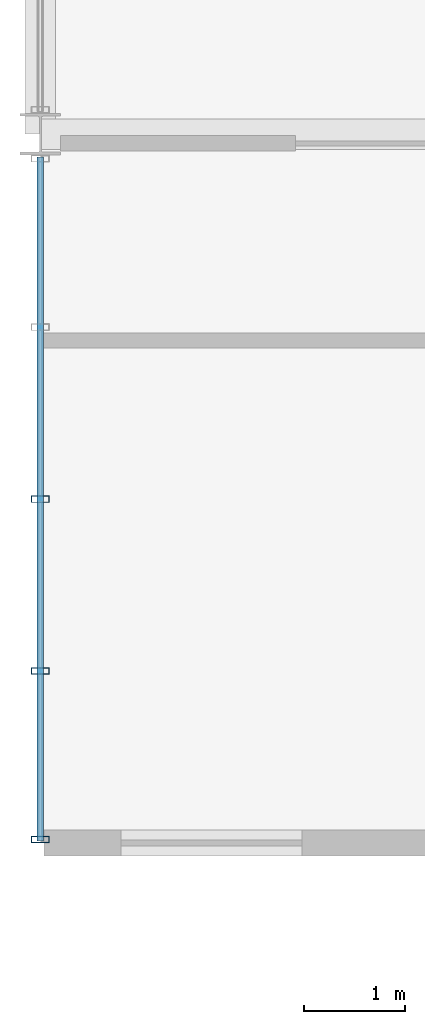
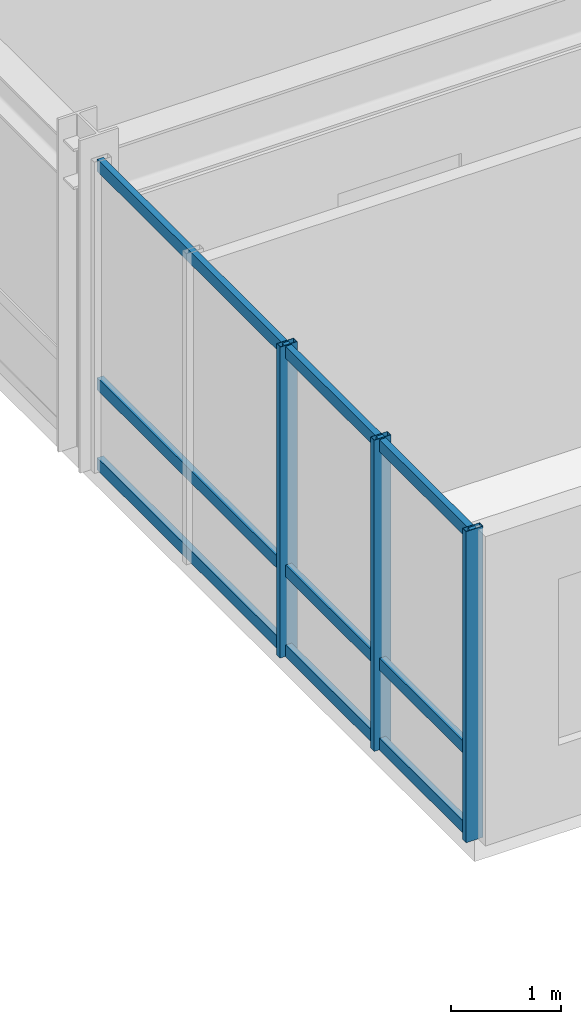
# One storey, part 3 of 19: 6 members, 1 element without a shape of its own.
"""IFC4 building model written with IfcOpenShell, lengths in metres."""

from ifc_helpers import new_model, si_unit, direction, frame, origin, origin_2d, place, context, subcontext, project, spatial, hollow_rectangle, extrude, source, transform, mapped, material, layer, layer_set, material_profile, profile_set, type_object, element, aggregate, save


model = new_model("IFC4")

# Units and contexts
model_context = context("Model", 3, precision=1e-05, world=origin(), true_north=direction((0.0, 1.0)))
body_context = subcontext(model_context, "Body", "Model", "MODEL_VIEW")
ifc_project = project(units=[si_unit("LENGTHUNIT", "METRE"), si_unit("AREAUNIT", "SQUARE_METRE"), si_unit("VOLUMEUNIT", "CUBIC_METRE"), si_unit("PLANEANGLEUNIT", "RADIAN"), si_unit("MASSUNIT", "GRAM", prefix="KILO")], contexts=[model_context])

# Site, building, storey
site_placement = place(None, origin())
site = spatial("IfcSite", under=ifc_project, at=site_placement, CompositionType="ELEMENT")
building_placement = place(site_placement, origin())
building = spatial("IfcBuilding", under=site, at=building_placement, Name="Kaliganga Portal Commons", CompositionType="ELEMENT")
storey_placement = place(building_placement, frame((0.0, 0.0, 140.199951171875)))
storey = spatial("IfcBuildingStorey", under=building, at=storey_placement, Name="L35", CompositionType="ELEMENT", Elevation=140.199951171875)

# Curtain wall, members
ifc_material_1 = material(Name="Anodized Aluminium and Laminated Low-E Glass", Category="aluminium")
ifc_layer = layer(ifc_material_1, 0.199951171875)
ifc_layer_set = layer_set([ifc_layer], Name="Anodized Aluminium and Laminated Low-E Glass")
curtain_wall_type = type_object("IfcCurtainWallType", Name="CW-SYS-02", PredefinedType="NOTDEFINED", material=ifc_layer_set)
curtain_wall_placement = place(storey_placement, origin())
curtain_wall = element("IfcCurtainWall", 1, at=curtain_wall_placement, inside=storey, type_object=curtain_wall_type, Name="CW 02 L35 P1E03S3", PredefinedType="NOTDEFINED")
ifc_material_2 = material(Name="Dark Bronze Anodized Aluminium", Category="aluminium")
ifc_material_profile_1 = material_profile(ifc_material_2, hollow_rectangle(XDim=0.06494140625, YDim=0.179931640625, WallThickness=0.00390625, at=origin_2d()), Name="ALU MULL 65x180x4")
ifc_profile_set_1 = profile_set([ifc_material_profile_1], Name="Dark Bronze Anodized Aluminium")
member_type_1 = type_object("IfcMemberType", Name="CW-MUL-180", PredefinedType="MULLION", material=ifc_profile_set_1)
shared_shape_1 = source(origin(), body_context, "Body", "SweptSolid", [
    extrude(hollow_rectangle(XDim=0.06494140625, YDim=0.179931640625, WallThickness=0.00390625, at=origin_2d()), origin(), (0.0, 0.0, 1.0), 3.4599609375),
])
member_1_placement = place(storey_placement, frame((0.5, 25.02099609375, 0.0), z_axis=(0.0, 0.0, 1.0), x_axis=(0.0, -1.0, 0.0)))
member_1 = element("IfcMember", 2, at=member_1_placement, type_object=member_type_1, Name="CW:02:L35:P1E03S3 Mullion 02", PredefinedType="MULLION", context=body_context, shape_type="MappedRepresentation", body=[
    mapped(shared_shape_1, transform((0.0, 0.0, 0.0), x_axis=(1.0, 0.0, 0.0), y_axis=(0.0, 1.0, 0.0), z_axis=(0.0, 0.0, 1.0), scale=1.0)),
])
member_2_placement = place(storey_placement, frame((0.5, 23.310546875, 0.0), z_axis=(0.0, 0.0, 1.0), x_axis=(0.0, -1.0, 0.0)))
member_2 = element("IfcMember", 3, at=member_2_placement, type_object=member_type_1, Name="CW:02:L35:P1E03S3 Mullion 03", PredefinedType="MULLION", context=body_context, shape_type="MappedRepresentation", body=[
    mapped(shared_shape_1, transform((0.0, 0.0, 0.0), x_axis=(1.0, 0.0, 0.0), y_axis=(0.0, 1.0, 0.0), z_axis=(0.0, 0.0, 1.0), scale=1.0)),
])
member_3_placement = place(storey_placement, frame((0.5, 21.635009765625, 0.0), z_axis=(0.0, 0.0, 1.0), x_axis=(0.0, -1.0, 0.0)))
member_3 = element("IfcMember", 4, at=member_3_placement, type_object=member_type_1, Name="CW:02:L35:P1E03S3 Mullion 04", PredefinedType="MULLION", context=body_context, shape_type="MappedRepresentation", body=[
    mapped(shared_shape_1, transform((0.0, 0.0, 0.0), x_axis=(1.0, 0.0, 0.0), y_axis=(0.0, 1.0, 0.0), z_axis=(0.0, 0.0, 1.0), scale=1.0)),
])
ifc_material_profile_2 = material_profile(ifc_material_2, hollow_rectangle(XDim=0.06494140625, YDim=0.135009765625, WallThickness=0.00341796875, at=origin_2d()), Name="ALU TRAN 65x135x3.5")
ifc_profile_set_2 = profile_set([ifc_material_profile_2], Name="Dark Bronze Anodized Aluminium")
member_type_2 = type_object("IfcMemberType", Name="CW-TRN-135", PredefinedType="USERDEFINED", material=ifc_profile_set_2)
shared_shape_2 = source(origin(), body_context, "Body", "SweptSolid", [
    extrude(hollow_rectangle(XDim=0.06494140625, YDim=0.135009765625, WallThickness=0.00341796875, at=origin_2d()), origin(), (0.0, 0.0, 1.0), 6.802001953125),
])
member_4_placement = place(storey_placement, frame((0.5, 28.422119140625, 0.06005859375), z_axis=(0.0, -1.0, 0.0), x_axis=(1.0, 0.0, 0.0)))
member_4 = element("IfcMember", 5, at=member_4_placement, type_object=member_type_2, Name="CW:02:L35:P1E03S3 Transom 1", ObjectType="TRANSOM", PredefinedType="USERDEFINED", context=body_context, shape_type="MappedRepresentation", body=[
    mapped(shared_shape_2, transform((0.0, 0.0, 0.0), x_axis=(1.0, 0.0, 0.0), y_axis=(0.0, 1.0, 0.0), z_axis=(0.0, 0.0, 1.0), scale=1.0)),
])
member_5_placement = place(storey_placement, frame((0.5, 28.422119140625, 0.949951171875), z_axis=(0.0, -1.0, 0.0), x_axis=(1.0, 0.0, 0.0)))
member_5 = element("IfcMember", 6, at=member_5_placement, type_object=member_type_2, Name="CW:02:L35:P1E03S3 Transom 2", ObjectType="TRANSOM", PredefinedType="USERDEFINED", context=body_context, shape_type="MappedRepresentation", body=[
    mapped(shared_shape_2, transform((0.0, 0.0, 0.0), x_axis=(1.0, 0.0, 0.0), y_axis=(0.0, 1.0, 0.0), z_axis=(0.0, 0.0, 1.0), scale=1.0)),
])
member_6_placement = place(storey_placement, frame((0.5, 28.422119140625, 3.380126953125), z_axis=(0.0, -1.0, 0.0), x_axis=(1.0, 0.0, 0.0)))
member_6 = element("IfcMember", 7, at=member_6_placement, type_object=member_type_2, Name="CW:02:L35:P1E03S3 Transom 3", ObjectType="TRANSOM", PredefinedType="USERDEFINED", context=body_context, shape_type="MappedRepresentation", body=[
    mapped(shared_shape_2, transform((0.0, 0.0, 0.0), x_axis=(1.0, 0.0, 0.0), y_axis=(0.0, 1.0, 0.0), z_axis=(0.0, 0.0, 1.0), scale=1.0)),
])
aggregate(curtain_wall, [member_1, member_2, member_3, member_4, member_5, member_6])

save(model, "model.ifc")
